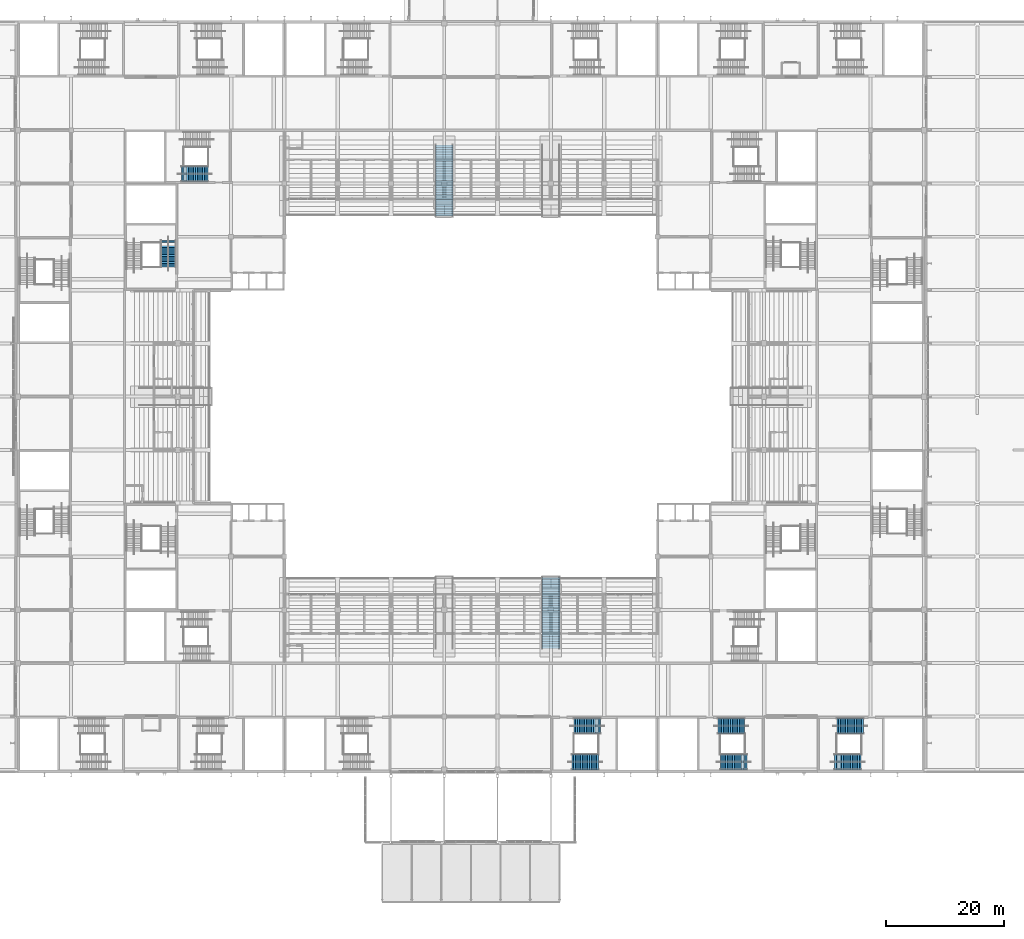
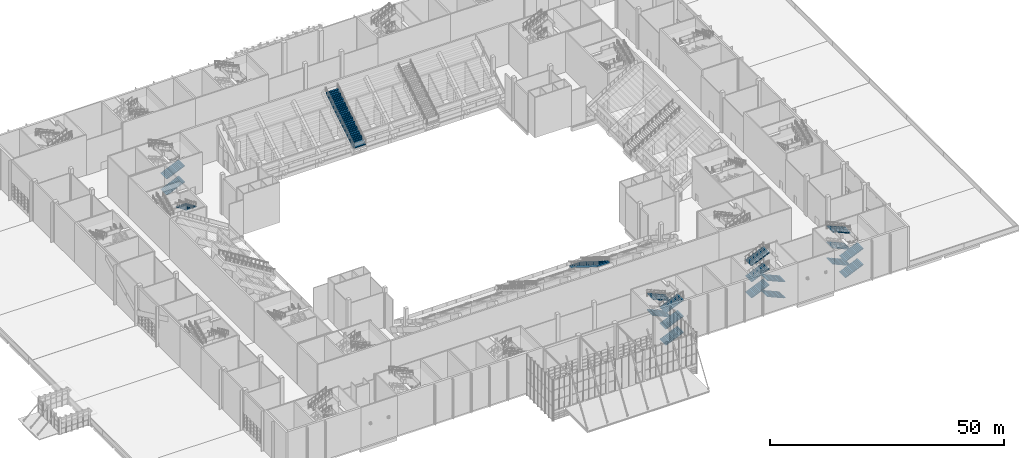
# One storey, part 98 of 182: 20 stair flights, 7 elements without a shape of their own.
"""IFC4 building model written with IfcOpenShell, lengths in metres."""

from ifc_helpers import new_model, si_unit, direction, frame, origin, place, context, subcontext, project, spatial, polyline, outline, extrude, material, type_object, element, aggregate, save


model = new_model("IFC4")

# Units and contexts
model_context = context("Model", 3, precision=1e-05, world=origin(), true_north=direction((0.0, 1.0)))
body_context = subcontext(model_context, "Body", "Model", "MODEL_VIEW")
ifc_project = project(units=[si_unit("LENGTHUNIT", "METRE"), si_unit("AREAUNIT", "SQUARE_METRE"), si_unit("VOLUMEUNIT", "CUBIC_METRE"), si_unit("PLANEANGLEUNIT", "RADIAN"), si_unit("MASSUNIT", "GRAM", prefix="KILO")], contexts=[model_context])

# Site, building, storey
site_placement = place(None, origin())
site = spatial("IfcSite", under=ifc_project, at=site_placement, CompositionType="ELEMENT")
building_placement = place(site_placement, origin())
building = spatial("IfcBuilding", under=site, at=building_placement, Name="Silverbay Arena", CompositionType="ELEMENT")
storey_placement = place(building_placement, frame((0.0, 0.0, 11.5)))
storey = spatial("IfcBuildingStorey", under=building, at=storey_placement, Name="L02", CompositionType="ELEMENT", Elevation=11.5)

# Stair, stair flights
ifc_material_1 = material(Name="Concrete Grade C45", Category="concrete")
stair_type_1 = type_object("IfcStairType", Name="Stair 2600 wide 80 risers 131.2 x 300", PredefinedType="HALF_TURN_STAIR", material=ifc_material_1)
stair_1_placement = place(storey_placement, origin())
stair_1 = element("IfcStair", 1, at=stair_1_placement, inside=storey, type_object=stair_type_1, Name="Stair ST-S3 L02 to L03", PredefinedType="HALF_TURN_STAIR")
ifc_material_2 = material(Name="Concrete Grade C45", Category="concrete")
stair_flight_type_1 = type_object("IfcStairFlightType", Name="Stair flight 2600 wide 16 risers 131.2 x 300", PredefinedType="STRAIGHT", material=ifc_material_2)
stair_flight_1_placement = place(storey_placement, frame((147.52587890625, 19.300048828125, 0.0), z_axis=(0.0, 0.0, 1.0), x_axis=(1.0, 0.0, 0.0)))
stair_flight_1 = element("IfcStairFlight", 2, at=stair_flight_1_placement, type_object=stair_flight_type_1, Name="Stair ST-S3 L02 to L03 flight 1", NumberOfRisers=16, NumberOfTreads=15, PredefinedType="STRAIGHT", RiserHeight=0.13125, TreadLength=0.3, context=body_context, shape_type="SweptSolid", body=[
    extrude(outline(polyline([(0.0, 0.0), (0.0, 0.13134765625), (0.300048828125, 0.13134765625), (0.300048828125, 0.262451171875), (0.60009765625, 0.262451171875), (0.60009765625, 0.393798828125), (0.89990234375, 0.393798828125), (0.89990234375, 0.52490234375), (1.199951171875, 0.52490234375), (1.199951171875, 0.65625), (1.5, 0.65625), (1.5, 0.78759765625), (1.800048828125, 0.78759765625), (1.800048828125, 0.918701171875), (2.10009765625, 0.918701171875), (2.10009765625, 1.050048828125), (2.39990234375, 1.050048828125), (2.39990234375, 1.18115234375), (2.699951171875, 1.18115234375), (2.699951171875, 1.3125), (3.0, 1.3125), (3.0, 1.44384765625), (3.300048828125, 1.44384765625), (3.300048828125, 1.574951171875), (3.60009765625, 1.574951171875), (3.60009765625, 1.706298828125), (3.89990234375, 1.706298828125), (3.89990234375, 1.83740234375), (4.199951171875, 1.83740234375), (4.199951171875, 1.96875), (4.5, 1.96875), (4.5, 1.80517578125), (0.3740234375, 0.0), (0.0, 0.0)])), frame((0.0, 1.300048828125, 0.0), z_axis=(0.0, -1.0, 0.0), x_axis=(1.0, 0.0, 0.0)), (0.0, 0.0, 1.0), 2.60009765625),
])
stair_flight_2_placement = place(storey_placement, frame((152.39990234375, 25.39990234375, 2.10009765625), z_axis=(0.0, 0.0, 1.0), x_axis=(-1.0, 0.0, 0.0)))
stair_flight_2 = element("IfcStairFlight", 3, at=stair_flight_2_placement, type_object=stair_flight_type_1, Name="Stair ST-S3 L02 to L03 flight 2", NumberOfRisers=16, NumberOfTreads=15, PredefinedType="STRAIGHT", RiserHeight=0.13125, TreadLength=0.3, context=body_context, shape_type="SweptSolid", body=[
    extrude(outline(polyline([(0.0, 0.0), (0.0, 0.13134765625), (0.300048828125, 0.13134765625), (0.300048828125, 0.262451171875), (0.60009765625, 0.262451171875), (0.60009765625, 0.393798828125), (0.89990234375, 0.393798828125), (0.89990234375, 0.52490234375), (1.199951171875, 0.52490234375), (1.199951171875, 0.65625), (1.5, 0.65625), (1.5, 0.78759765625), (1.800048828125, 0.78759765625), (1.800048828125, 0.918701171875), (2.10009765625, 0.918701171875), (2.10009765625, 1.050048828125), (2.39990234375, 1.050048828125), (2.39990234375, 1.18115234375), (2.699951171875, 1.18115234375), (2.699951171875, 1.3125), (3.0, 1.3125), (3.0, 1.44384765625), (3.300048828125, 1.44384765625), (3.300048828125, 1.574951171875), (3.60009765625, 1.574951171875), (3.60009765625, 1.706298828125), (3.89990234375, 1.706298828125), (3.89990234375, 1.83740234375), (4.199951171875, 1.83740234375), (4.199951171875, 1.96875), (4.5, 1.96875), (4.5, 1.80517578125), (0.3740234375, 0.0), (0.0, 0.0)])), frame((0.0, 1.300048828125, 0.0), z_axis=(0.0, -1.0, 0.0), x_axis=(1.0, 0.0, 0.0)), (0.0, 0.0, 1.0), 2.60009765625),
])
stair_flight_3_placement = place(storey_placement, frame((147.52587890625, 19.300048828125, 4.199951171875), z_axis=(0.0, 0.0, 1.0), x_axis=(1.0, 0.0, 0.0)))
stair_flight_3 = element("IfcStairFlight", 4, at=stair_flight_3_placement, type_object=stair_flight_type_1, Name="Stair ST-S3 L02 to L03 flight 3", NumberOfRisers=16, NumberOfTreads=15, PredefinedType="STRAIGHT", RiserHeight=0.13125, TreadLength=0.3, context=body_context, shape_type="SweptSolid", body=[
    extrude(outline(polyline([(0.0, 0.0), (0.0, 0.13134765625), (0.300048828125, 0.13134765625), (0.300048828125, 0.262451171875), (0.60009765625, 0.262451171875), (0.60009765625, 0.393798828125), (0.89990234375, 0.393798828125), (0.89990234375, 0.52490234375), (1.199951171875, 0.52490234375), (1.199951171875, 0.65625), (1.5, 0.65625), (1.5, 0.78759765625), (1.800048828125, 0.78759765625), (1.800048828125, 0.918701171875), (2.10009765625, 0.918701171875), (2.10009765625, 1.050048828125), (2.39990234375, 1.050048828125), (2.39990234375, 1.18115234375), (2.699951171875, 1.18115234375), (2.699951171875, 1.3125), (3.0, 1.3125), (3.0, 1.44384765625), (3.300048828125, 1.44384765625), (3.300048828125, 1.574951171875), (3.60009765625, 1.574951171875), (3.60009765625, 1.706298828125), (3.89990234375, 1.706298828125), (3.89990234375, 1.83740234375), (4.199951171875, 1.83740234375), (4.199951171875, 1.96875), (4.5, 1.96875), (4.5, 1.80517578125), (0.3740234375, 0.0), (0.0, 0.0)])), frame((0.0, 1.300048828125, 0.0), z_axis=(0.0, -1.0, 0.0), x_axis=(1.0, 0.0, 0.0)), (0.0, 0.0, 1.0), 2.60009765625),
])
stair_flight_4_placement = place(storey_placement, frame((152.39990234375, 25.39990234375, 6.300048828125), z_axis=(0.0, 0.0, 1.0), x_axis=(-1.0, 0.0, 0.0)))
stair_flight_4 = element("IfcStairFlight", 5, at=stair_flight_4_placement, type_object=stair_flight_type_1, Name="Stair ST-S3 L02 to L03 flight 4", NumberOfRisers=16, NumberOfTreads=15, PredefinedType="STRAIGHT", RiserHeight=0.13125, TreadLength=0.3, context=body_context, shape_type="SweptSolid", body=[
    extrude(outline(polyline([(0.0, 0.0), (0.0, 0.13134765625), (0.300048828125, 0.13134765625), (0.300048828125, 0.262451171875), (0.60009765625, 0.262451171875), (0.60009765625, 0.393798828125), (0.89990234375, 0.393798828125), (0.89990234375, 0.52490234375), (1.199951171875, 0.52490234375), (1.199951171875, 0.65625), (1.5, 0.65625), (1.5, 0.78759765625), (1.800048828125, 0.78759765625), (1.800048828125, 0.918701171875), (2.10009765625, 0.918701171875), (2.10009765625, 1.050048828125), (2.39990234375, 1.050048828125), (2.39990234375, 1.18115234375), (2.699951171875, 1.18115234375), (2.699951171875, 1.3125), (3.0, 1.3125), (3.0, 1.44384765625), (3.300048828125, 1.44384765625), (3.300048828125, 1.574951171875), (3.60009765625, 1.574951171875), (3.60009765625, 1.706298828125), (3.89990234375, 1.706298828125), (3.89990234375, 1.83740234375), (4.199951171875, 1.83740234375), (4.199951171875, 1.96875), (4.5, 1.96875), (4.5, 1.80517578125), (0.3740234375, 0.0), (0.0, 0.0)])), frame((0.0, 1.300048828125, 0.0), z_axis=(0.0, -1.0, 0.0), x_axis=(1.0, 0.0, 0.0)), (0.0, 0.0, 1.0), 2.60009765625),
])
stair_flight_5_placement = place(storey_placement, frame((147.52587890625, 19.300048828125, 8.39990234375), z_axis=(0.0, 0.0, 1.0), x_axis=(1.0, 0.0, 0.0)))
stair_flight_5 = element("IfcStairFlight", 6, at=stair_flight_5_placement, type_object=stair_flight_type_1, Name="Stair ST-S3 L02 to L03 flight 5", NumberOfRisers=16, NumberOfTreads=15, PredefinedType="STRAIGHT", RiserHeight=0.13125, TreadLength=0.3, context=body_context, shape_type="SweptSolid", body=[
    extrude(outline(polyline([(0.0, 0.0), (0.0, 0.13134765625), (0.300048828125, 0.13134765625), (0.300048828125, 0.262451171875), (0.60009765625, 0.262451171875), (0.60009765625, 0.393798828125), (0.89990234375, 0.393798828125), (0.89990234375, 0.52490234375), (1.199951171875, 0.52490234375), (1.199951171875, 0.65625), (1.5, 0.65625), (1.5, 0.78759765625), (1.800048828125, 0.78759765625), (1.800048828125, 0.918701171875), (2.10009765625, 0.918701171875), (2.10009765625, 1.050048828125), (2.39990234375, 1.050048828125), (2.39990234375, 1.18115234375), (2.699951171875, 1.18115234375), (2.699951171875, 1.3125), (3.0, 1.3125), (3.0, 1.44384765625), (3.300048828125, 1.44384765625), (3.300048828125, 1.574951171875), (3.60009765625, 1.574951171875), (3.60009765625, 1.706298828125), (3.89990234375, 1.706298828125), (3.89990234375, 1.83740234375), (4.199951171875, 1.83740234375), (4.199951171875, 1.96875), (4.5, 1.96875), (4.5, 1.80517578125), (0.3740234375, 0.0), (0.0, 0.0)])), frame((0.0, 1.300048828125, 0.0), z_axis=(0.0, -1.0, 0.0), x_axis=(1.0, 0.0, 0.0)), (0.0, 0.0, 1.0), 2.60009765625),
])
aggregate(stair_1, [stair_flight_1, stair_flight_2, stair_flight_3, stair_flight_4, stair_flight_5])

stair_2_placement = place(storey_placement, origin())
stair_2 = element("IfcStair", 7, at=stair_2_placement, inside=storey, type_object=stair_type_1, Name="Stair ST-S4 L02 to L03", PredefinedType="HALF_TURN_STAIR")
stair_flight_6_placement = place(storey_placement, frame((172.225830078125, 25.39990234375, 0.0), z_axis=(0.0, 0.0, 1.0), x_axis=(1.0, 0.0, 0.0)))
stair_flight_6 = element("IfcStairFlight", 8, at=stair_flight_6_placement, type_object=stair_flight_type_1, Name="Stair ST-S4 L02 to L03 flight 1", NumberOfRisers=16, NumberOfTreads=15, PredefinedType="STRAIGHT", RiserHeight=0.13125, TreadLength=0.3, context=body_context, shape_type="SweptSolid", body=[
    extrude(outline(polyline([(0.0, 0.0), (0.0, 0.13134765625), (0.300048828125, 0.13134765625), (0.300048828125, 0.262451171875), (0.60009765625, 0.262451171875), (0.60009765625, 0.393798828125), (0.89990234375, 0.393798828125), (0.89990234375, 0.52490234375), (1.199951171875, 0.52490234375), (1.199951171875, 0.65625), (1.5, 0.65625), (1.5, 0.78759765625), (1.800048828125, 0.78759765625), (1.800048828125, 0.918701171875), (2.10009765625, 0.918701171875), (2.10009765625, 1.050048828125), (2.39990234375, 1.050048828125), (2.39990234375, 1.18115234375), (2.699951171875, 1.18115234375), (2.699951171875, 1.3125), (3.0, 1.3125), (3.0, 1.44384765625), (3.300048828125, 1.44384765625), (3.300048828125, 1.574951171875), (3.60009765625, 1.574951171875), (3.60009765625, 1.706298828125), (3.89990234375, 1.706298828125), (3.89990234375, 1.83740234375), (4.199951171875, 1.83740234375), (4.199951171875, 1.96875), (4.5, 1.96875), (4.5, 1.80517578125), (0.3740234375, 0.0), (0.0, 0.0)])), frame((0.0, 1.300048828125, 0.0), z_axis=(0.0, -1.0, 0.0), x_axis=(1.0, 0.0, 0.0)), (0.0, 0.0, 1.0), 2.60009765625),
])
stair_flight_7_placement = place(storey_placement, frame((177.10009765625, 19.300048828125, 2.10009765625), z_axis=(0.0, 0.0, 1.0), x_axis=(-1.0, 0.0, 0.0)))
stair_flight_7 = element("IfcStairFlight", 9, at=stair_flight_7_placement, type_object=stair_flight_type_1, Name="Stair ST-S4 L02 to L03 flight 2", NumberOfRisers=16, NumberOfTreads=15, PredefinedType="STRAIGHT", RiserHeight=0.13125, TreadLength=0.3, context=body_context, shape_type="SweptSolid", body=[
    extrude(outline(polyline([(0.0, 0.0), (0.0, 0.13134765625), (0.300048828125, 0.13134765625), (0.300048828125, 0.262451171875), (0.60009765625, 0.262451171875), (0.60009765625, 0.393798828125), (0.89990234375, 0.393798828125), (0.89990234375, 0.52490234375), (1.199951171875, 0.52490234375), (1.199951171875, 0.65625), (1.5, 0.65625), (1.5, 0.78759765625), (1.800048828125, 0.78759765625), (1.800048828125, 0.918701171875), (2.10009765625, 0.918701171875), (2.10009765625, 1.050048828125), (2.39990234375, 1.050048828125), (2.39990234375, 1.18115234375), (2.699951171875, 1.18115234375), (2.699951171875, 1.3125), (3.0, 1.3125), (3.0, 1.44384765625), (3.300048828125, 1.44384765625), (3.300048828125, 1.574951171875), (3.60009765625, 1.574951171875), (3.60009765625, 1.706298828125), (3.89990234375, 1.706298828125), (3.89990234375, 1.83740234375), (4.199951171875, 1.83740234375), (4.199951171875, 1.96875), (4.5, 1.96875), (4.5, 1.80517578125), (0.3740234375, 0.0), (0.0, 0.0)])), frame((0.0, 1.300048828125, 0.0), z_axis=(0.0, -1.0, 0.0), x_axis=(1.0, 0.0, 0.0)), (0.0, 0.0, 1.0), 2.60009765625),
])
stair_flight_8_placement = place(storey_placement, frame((172.225830078125, 25.39990234375, 4.199951171875), z_axis=(0.0, 0.0, 1.0), x_axis=(1.0, 0.0, 0.0)))
stair_flight_8 = element("IfcStairFlight", 10, at=stair_flight_8_placement, type_object=stair_flight_type_1, Name="Stair ST-S4 L02 to L03 flight 3", NumberOfRisers=16, NumberOfTreads=15, PredefinedType="STRAIGHT", RiserHeight=0.13125, TreadLength=0.3, context=body_context, shape_type="SweptSolid", body=[
    extrude(outline(polyline([(0.0, 0.0), (0.0, 0.13134765625), (0.300048828125, 0.13134765625), (0.300048828125, 0.262451171875), (0.60009765625, 0.262451171875), (0.60009765625, 0.393798828125), (0.89990234375, 0.393798828125), (0.89990234375, 0.52490234375), (1.199951171875, 0.52490234375), (1.199951171875, 0.65625), (1.5, 0.65625), (1.5, 0.78759765625), (1.800048828125, 0.78759765625), (1.800048828125, 0.918701171875), (2.10009765625, 0.918701171875), (2.10009765625, 1.050048828125), (2.39990234375, 1.050048828125), (2.39990234375, 1.18115234375), (2.699951171875, 1.18115234375), (2.699951171875, 1.3125), (3.0, 1.3125), (3.0, 1.44384765625), (3.300048828125, 1.44384765625), (3.300048828125, 1.574951171875), (3.60009765625, 1.574951171875), (3.60009765625, 1.706298828125), (3.89990234375, 1.706298828125), (3.89990234375, 1.83740234375), (4.199951171875, 1.83740234375), (4.199951171875, 1.96875), (4.5, 1.96875), (4.5, 1.80517578125), (0.3740234375, 0.0), (0.0, 0.0)])), frame((0.0, 1.300048828125, 0.0), z_axis=(0.0, -1.0, 0.0), x_axis=(1.0, 0.0, 0.0)), (0.0, 0.0, 1.0), 2.60009765625),
])
stair_flight_9_placement = place(storey_placement, frame((177.10009765625, 19.300048828125, 6.300048828125), z_axis=(0.0, 0.0, 1.0), x_axis=(-1.0, 0.0, 0.0)))
stair_flight_9 = element("IfcStairFlight", 11, at=stair_flight_9_placement, type_object=stair_flight_type_1, Name="Stair ST-S4 L02 to L03 flight 4", NumberOfRisers=16, NumberOfTreads=15, PredefinedType="STRAIGHT", RiserHeight=0.13125, TreadLength=0.3, context=body_context, shape_type="SweptSolid", body=[
    extrude(outline(polyline([(0.0, 0.0), (0.0, 0.13134765625), (0.300048828125, 0.13134765625), (0.300048828125, 0.262451171875), (0.60009765625, 0.262451171875), (0.60009765625, 0.393798828125), (0.89990234375, 0.393798828125), (0.89990234375, 0.52490234375), (1.199951171875, 0.52490234375), (1.199951171875, 0.65625), (1.5, 0.65625), (1.5, 0.78759765625), (1.800048828125, 0.78759765625), (1.800048828125, 0.918701171875), (2.10009765625, 0.918701171875), (2.10009765625, 1.050048828125), (2.39990234375, 1.050048828125), (2.39990234375, 1.18115234375), (2.699951171875, 1.18115234375), (2.699951171875, 1.3125), (3.0, 1.3125), (3.0, 1.44384765625), (3.300048828125, 1.44384765625), (3.300048828125, 1.574951171875), (3.60009765625, 1.574951171875), (3.60009765625, 1.706298828125), (3.89990234375, 1.706298828125), (3.89990234375, 1.83740234375), (4.199951171875, 1.83740234375), (4.199951171875, 1.96875), (4.5, 1.96875), (4.5, 1.80517578125), (0.3740234375, 0.0), (0.0, 0.0)])), frame((0.0, 1.300048828125, 0.0), z_axis=(0.0, -1.0, 0.0), x_axis=(1.0, 0.0, 0.0)), (0.0, 0.0, 1.0), 2.60009765625),
])
stair_flight_10_placement = place(storey_placement, frame((172.225830078125, 25.39990234375, 8.39990234375), z_axis=(0.0, 0.0, 1.0), x_axis=(1.0, 0.0, 0.0)))
stair_flight_10 = element("IfcStairFlight", 12, at=stair_flight_10_placement, type_object=stair_flight_type_1, Name="Stair ST-S4 L02 to L03 flight 5", NumberOfRisers=16, NumberOfTreads=15, PredefinedType="STRAIGHT", RiserHeight=0.13125, TreadLength=0.3, context=body_context, shape_type="SweptSolid", body=[
    extrude(outline(polyline([(0.0, 0.0), (0.0, 0.13134765625), (0.300048828125, 0.13134765625), (0.300048828125, 0.262451171875), (0.60009765625, 0.262451171875), (0.60009765625, 0.393798828125), (0.89990234375, 0.393798828125), (0.89990234375, 0.52490234375), (1.199951171875, 0.52490234375), (1.199951171875, 0.65625), (1.5, 0.65625), (1.5, 0.78759765625), (1.800048828125, 0.78759765625), (1.800048828125, 0.918701171875), (2.10009765625, 0.918701171875), (2.10009765625, 1.050048828125), (2.39990234375, 1.050048828125), (2.39990234375, 1.18115234375), (2.699951171875, 1.18115234375), (2.699951171875, 1.3125), (3.0, 1.3125), (3.0, 1.44384765625), (3.300048828125, 1.44384765625), (3.300048828125, 1.574951171875), (3.60009765625, 1.574951171875), (3.60009765625, 1.706298828125), (3.89990234375, 1.706298828125), (3.89990234375, 1.83740234375), (4.199951171875, 1.83740234375), (4.199951171875, 1.96875), (4.5, 1.96875), (4.5, 1.80517578125), (0.3740234375, 0.0), (0.0, 0.0)])), frame((0.0, 1.300048828125, 0.0), z_axis=(0.0, -1.0, 0.0), x_axis=(1.0, 0.0, 0.0)), (0.0, 0.0, 1.0), 2.60009765625),
])
aggregate(stair_2, [stair_flight_6, stair_flight_7, stair_flight_8, stair_flight_9, stair_flight_10])

stair_3_placement = place(storey_placement, origin())
stair_3 = element("IfcStair", 13, at=stair_3_placement, inside=storey, type_object=stair_type_1, Name="Stair ST-S6 L02 to L03", PredefinedType="HALF_TURN_STAIR")
stair_flight_11_placement = place(storey_placement, frame((196.774169921875, 25.39990234375, 0.0), z_axis=(0.0, 0.0, 1.0), x_axis=(-1.0, 0.0, 0.0)))
stair_flight_11 = element("IfcStairFlight", 14, at=stair_flight_11_placement, type_object=stair_flight_type_1, Name="Stair ST-S6 L02 to L03 flight 1", NumberOfRisers=16, NumberOfTreads=15, PredefinedType="STRAIGHT", RiserHeight=0.13125, TreadLength=0.3, context=body_context, shape_type="SweptSolid", body=[
    extrude(outline(polyline([(0.0, 0.0), (0.0, 0.13134765625), (0.300048828125, 0.13134765625), (0.300048828125, 0.262451171875), (0.60009765625, 0.262451171875), (0.60009765625, 0.393798828125), (0.89990234375, 0.393798828125), (0.89990234375, 0.52490234375), (1.199951171875, 0.52490234375), (1.199951171875, 0.65625), (1.5, 0.65625), (1.5, 0.78759765625), (1.800048828125, 0.78759765625), (1.800048828125, 0.918701171875), (2.10009765625, 0.918701171875), (2.10009765625, 1.050048828125), (2.39990234375, 1.050048828125), (2.39990234375, 1.18115234375), (2.699951171875, 1.18115234375), (2.699951171875, 1.3125), (3.0, 1.3125), (3.0, 1.44384765625), (3.300048828125, 1.44384765625), (3.300048828125, 1.574951171875), (3.60009765625, 1.574951171875), (3.60009765625, 1.706298828125), (3.89990234375, 1.706298828125), (3.89990234375, 1.83740234375), (4.199951171875, 1.83740234375), (4.199951171875, 1.96875), (4.5, 1.96875), (4.5, 1.80517578125), (0.3740234375, 0.0), (0.0, 0.0)])), frame((0.0, 1.300048828125, 0.0), z_axis=(0.0, -1.0, 0.0), x_axis=(1.0, 0.0, 0.0)), (0.0, 0.0, 1.0), 2.60009765625),
])
stair_flight_12_placement = place(storey_placement, frame((191.89990234375, 19.300048828125, 2.10009765625), z_axis=(0.0, 0.0, 1.0), x_axis=(1.0, 0.0, 0.0)))
stair_flight_12 = element("IfcStairFlight", 15, at=stair_flight_12_placement, type_object=stair_flight_type_1, Name="Stair ST-S6 L02 to L03 flight 2", NumberOfRisers=16, NumberOfTreads=15, PredefinedType="STRAIGHT", RiserHeight=0.13125, TreadLength=0.3, context=body_context, shape_type="SweptSolid", body=[
    extrude(outline(polyline([(0.0, 0.0), (0.0, 0.13134765625), (0.300048828125, 0.13134765625), (0.300048828125, 0.262451171875), (0.60009765625, 0.262451171875), (0.60009765625, 0.393798828125), (0.89990234375, 0.393798828125), (0.89990234375, 0.52490234375), (1.199951171875, 0.52490234375), (1.199951171875, 0.65625), (1.5, 0.65625), (1.5, 0.78759765625), (1.800048828125, 0.78759765625), (1.800048828125, 0.918701171875), (2.10009765625, 0.918701171875), (2.10009765625, 1.050048828125), (2.39990234375, 1.050048828125), (2.39990234375, 1.18115234375), (2.699951171875, 1.18115234375), (2.699951171875, 1.3125), (3.0, 1.3125), (3.0, 1.44384765625), (3.300048828125, 1.44384765625), (3.300048828125, 1.574951171875), (3.60009765625, 1.574951171875), (3.60009765625, 1.706298828125), (3.89990234375, 1.706298828125), (3.89990234375, 1.83740234375), (4.199951171875, 1.83740234375), (4.199951171875, 1.96875), (4.5, 1.96875), (4.5, 1.80517578125), (0.3740234375, 0.0), (0.0, 0.0)])), frame((0.0, 1.300048828125, 0.0), z_axis=(0.0, -1.0, 0.0), x_axis=(1.0, 0.0, 0.0)), (0.0, 0.0, 1.0), 2.60009765625),
])
stair_flight_13_placement = place(storey_placement, frame((196.774169921875, 25.39990234375, 4.199951171875), z_axis=(0.0, 0.0, 1.0), x_axis=(-1.0, 0.0, 0.0)))
stair_flight_13 = element("IfcStairFlight", 16, at=stair_flight_13_placement, type_object=stair_flight_type_1, Name="Stair ST-S6 L02 to L03 flight 3", NumberOfRisers=16, NumberOfTreads=15, PredefinedType="STRAIGHT", RiserHeight=0.13125, TreadLength=0.3, context=body_context, shape_type="SweptSolid", body=[
    extrude(outline(polyline([(0.0, 0.0), (0.0, 0.13134765625), (0.300048828125, 0.13134765625), (0.300048828125, 0.262451171875), (0.60009765625, 0.262451171875), (0.60009765625, 0.393798828125), (0.89990234375, 0.393798828125), (0.89990234375, 0.52490234375), (1.199951171875, 0.52490234375), (1.199951171875, 0.65625), (1.5, 0.65625), (1.5, 0.78759765625), (1.800048828125, 0.78759765625), (1.800048828125, 0.918701171875), (2.10009765625, 0.918701171875), (2.10009765625, 1.050048828125), (2.39990234375, 1.050048828125), (2.39990234375, 1.18115234375), (2.699951171875, 1.18115234375), (2.699951171875, 1.3125), (3.0, 1.3125), (3.0, 1.44384765625), (3.300048828125, 1.44384765625), (3.300048828125, 1.574951171875), (3.60009765625, 1.574951171875), (3.60009765625, 1.706298828125), (3.89990234375, 1.706298828125), (3.89990234375, 1.83740234375), (4.199951171875, 1.83740234375), (4.199951171875, 1.96875), (4.5, 1.96875), (4.5, 1.80517578125), (0.3740234375, 0.0), (0.0, 0.0)])), frame((0.0, 1.300048828125, 0.0), z_axis=(0.0, -1.0, 0.0), x_axis=(1.0, 0.0, 0.0)), (0.0, 0.0, 1.0), 2.60009765625),
])
stair_flight_14_placement = place(storey_placement, frame((191.89990234375, 19.300048828125, 6.300048828125), z_axis=(0.0, 0.0, 1.0), x_axis=(1.0, 0.0, 0.0)))
stair_flight_14 = element("IfcStairFlight", 17, at=stair_flight_14_placement, type_object=stair_flight_type_1, Name="Stair ST-S6 L02 to L03 flight 4", NumberOfRisers=16, NumberOfTreads=15, PredefinedType="STRAIGHT", RiserHeight=0.13125, TreadLength=0.3, context=body_context, shape_type="SweptSolid", body=[
    extrude(outline(polyline([(0.0, 0.0), (0.0, 0.13134765625), (0.300048828125, 0.13134765625), (0.300048828125, 0.262451171875), (0.60009765625, 0.262451171875), (0.60009765625, 0.393798828125), (0.89990234375, 0.393798828125), (0.89990234375, 0.52490234375), (1.199951171875, 0.52490234375), (1.199951171875, 0.65625), (1.5, 0.65625), (1.5, 0.78759765625), (1.800048828125, 0.78759765625), (1.800048828125, 0.918701171875), (2.10009765625, 0.918701171875), (2.10009765625, 1.050048828125), (2.39990234375, 1.050048828125), (2.39990234375, 1.18115234375), (2.699951171875, 1.18115234375), (2.699951171875, 1.3125), (3.0, 1.3125), (3.0, 1.44384765625), (3.300048828125, 1.44384765625), (3.300048828125, 1.574951171875), (3.60009765625, 1.574951171875), (3.60009765625, 1.706298828125), (3.89990234375, 1.706298828125), (3.89990234375, 1.83740234375), (4.199951171875, 1.83740234375), (4.199951171875, 1.96875), (4.5, 1.96875), (4.5, 1.80517578125), (0.3740234375, 0.0), (0.0, 0.0)])), frame((0.0, 1.300048828125, 0.0), z_axis=(0.0, -1.0, 0.0), x_axis=(1.0, 0.0, 0.0)), (0.0, 0.0, 1.0), 2.60009765625),
])
stair_flight_15_placement = place(storey_placement, frame((196.774169921875, 25.39990234375, 8.39990234375), z_axis=(0.0, 0.0, 1.0), x_axis=(-1.0, 0.0, 0.0)))
stair_flight_15 = element("IfcStairFlight", 18, at=stair_flight_15_placement, type_object=stair_flight_type_1, Name="Stair ST-S6 L02 to L03 flight 5", NumberOfRisers=16, NumberOfTreads=15, PredefinedType="STRAIGHT", RiserHeight=0.13125, TreadLength=0.3, context=body_context, shape_type="SweptSolid", body=[
    extrude(outline(polyline([(0.0, 0.0), (0.0, 0.13134765625), (0.300048828125, 0.13134765625), (0.300048828125, 0.262451171875), (0.60009765625, 0.262451171875), (0.60009765625, 0.393798828125), (0.89990234375, 0.393798828125), (0.89990234375, 0.52490234375), (1.199951171875, 0.52490234375), (1.199951171875, 0.65625), (1.5, 0.65625), (1.5, 0.78759765625), (1.800048828125, 0.78759765625), (1.800048828125, 0.918701171875), (2.10009765625, 0.918701171875), (2.10009765625, 1.050048828125), (2.39990234375, 1.050048828125), (2.39990234375, 1.18115234375), (2.699951171875, 1.18115234375), (2.699951171875, 1.3125), (3.0, 1.3125), (3.0, 1.44384765625), (3.300048828125, 1.44384765625), (3.300048828125, 1.574951171875), (3.60009765625, 1.574951171875), (3.60009765625, 1.706298828125), (3.89990234375, 1.706298828125), (3.89990234375, 1.83740234375), (4.199951171875, 1.83740234375), (4.199951171875, 1.96875), (4.5, 1.96875), (4.5, 1.80517578125), (0.3740234375, 0.0), (0.0, 0.0)])), frame((0.0, 1.300048828125, 0.0), z_axis=(0.0, -1.0, 0.0), x_axis=(1.0, 0.0, 0.0)), (0.0, 0.0, 1.0), 2.60009765625),
])
aggregate(stair_3, [stair_flight_11, stair_flight_12, stair_flight_13, stair_flight_14, stair_flight_15])

stair_4_placement = place(storey_placement, origin())
stair_4 = element("IfcStair", 19, at=stair_4_placement, inside=storey, type_object=stair_type_1, Name="Stair ST-NW1 L02 to L03", PredefinedType="HALF_TURN_STAIR")
stair_flight_16_placement = place(storey_placement, frame((81.60009765625, 118.60009765625, 2.10009765625), z_axis=(0.0, 0.0, 1.0), x_axis=(1.0, 0.0, 0.0)))
stair_flight_16 = element("IfcStairFlight", 20, at=stair_flight_16_placement, type_object=stair_flight_type_1, Name="Stair ST-NW1 L02 to L03 flight 2", NumberOfRisers=16, NumberOfTreads=15, PredefinedType="STRAIGHT", RiserHeight=0.13125, TreadLength=0.3, context=body_context, shape_type="SweptSolid", body=[
    extrude(outline(polyline([(0.0, 0.0), (0.0, 0.13134765625), (0.300048828125, 0.13134765625), (0.300048828125, 0.262451171875), (0.60009765625, 0.262451171875), (0.60009765625, 0.393798828125), (0.89990234375, 0.393798828125), (0.89990234375, 0.52490234375), (1.199951171875, 0.52490234375), (1.199951171875, 0.65625), (1.5, 0.65625), (1.5, 0.78759765625), (1.800048828125, 0.78759765625), (1.800048828125, 0.918701171875), (2.10009765625, 0.918701171875), (2.10009765625, 1.050048828125), (2.39990234375, 1.050048828125), (2.39990234375, 1.18115234375), (2.699951171875, 1.18115234375), (2.699951171875, 1.3125), (3.0, 1.3125), (3.0, 1.44384765625), (3.300048828125, 1.44384765625), (3.300048828125, 1.574951171875), (3.60009765625, 1.574951171875), (3.60009765625, 1.706298828125), (3.89990234375, 1.706298828125), (3.89990234375, 1.83740234375), (4.199951171875, 1.83740234375), (4.199951171875, 1.96875), (4.5, 1.96875), (4.5, 1.80517578125), (0.3740234375, 0.0), (0.0, 0.0)])), frame((0.0, 1.300048828125, 0.0), z_axis=(0.0, -1.0, 0.0), x_axis=(1.0, 0.0, 0.0)), (0.0, 0.0, 1.0), 2.60009765625),
])
stair_flight_17_placement = place(storey_placement, frame((81.60009765625, 118.60009765625, 6.300048828125), z_axis=(0.0, 0.0, 1.0), x_axis=(1.0, 0.0, 0.0)))
stair_flight_17 = element("IfcStairFlight", 21, at=stair_flight_17_placement, type_object=stair_flight_type_1, Name="Stair ST-NW1 L02 to L03 flight 4", NumberOfRisers=16, NumberOfTreads=15, PredefinedType="STRAIGHT", RiserHeight=0.13125, TreadLength=0.3, context=body_context, shape_type="SweptSolid", body=[
    extrude(outline(polyline([(0.0, 0.0), (0.0, 0.13134765625), (0.300048828125, 0.13134765625), (0.300048828125, 0.262451171875), (0.60009765625, 0.262451171875), (0.60009765625, 0.393798828125), (0.89990234375, 0.393798828125), (0.89990234375, 0.52490234375), (1.199951171875, 0.52490234375), (1.199951171875, 0.65625), (1.5, 0.65625), (1.5, 0.78759765625), (1.800048828125, 0.78759765625), (1.800048828125, 0.918701171875), (2.10009765625, 0.918701171875), (2.10009765625, 1.050048828125), (2.39990234375, 1.050048828125), (2.39990234375, 1.18115234375), (2.699951171875, 1.18115234375), (2.699951171875, 1.3125), (3.0, 1.3125), (3.0, 1.44384765625), (3.300048828125, 1.44384765625), (3.300048828125, 1.574951171875), (3.60009765625, 1.574951171875), (3.60009765625, 1.706298828125), (3.89990234375, 1.706298828125), (3.89990234375, 1.83740234375), (4.199951171875, 1.83740234375), (4.199951171875, 1.96875), (4.5, 1.96875), (4.5, 1.80517578125), (0.3740234375, 0.0), (0.0, 0.0)])), frame((0.0, 1.300048828125, 0.0), z_axis=(0.0, -1.0, 0.0), x_axis=(1.0, 0.0, 0.0)), (0.0, 0.0, 1.0), 2.60009765625),
])
aggregate(stair_4, [stair_flight_16, stair_flight_17])

# Stair, stair flight
stair_5_placement = place(storey_placement, origin())
stair_5 = element("IfcStair", 22, at=stair_5_placement, inside=storey, type_object=stair_type_1, Name="Stair ST-NW2 L02 to L03", PredefinedType="HALF_TURN_STAIR")
stair_flight_18_placement = place(storey_placement, frame((79.39990234375, 107.39990234375, 6.300048828125), z_axis=(0.0, 0.0, 1.0), x_axis=(0.0, -1.0, 0.0)))
stair_flight_18 = element("IfcStairFlight", 23, at=stair_flight_18_placement, type_object=stair_flight_type_1, Name="Stair ST-NW2 L02 to L03 flight 4", NumberOfRisers=16, NumberOfTreads=15, PredefinedType="STRAIGHT", RiserHeight=0.13125, TreadLength=0.3, context=body_context, shape_type="SweptSolid", body=[
    extrude(outline(polyline([(0.0, 0.0), (0.0, 0.13134765625), (0.300048828125, 0.13134765625), (0.300048828125, 0.262451171875), (0.60009765625, 0.262451171875), (0.60009765625, 0.393798828125), (0.89990234375, 0.393798828125), (0.89990234375, 0.52490234375), (1.199951171875, 0.52490234375), (1.199951171875, 0.65625), (1.5, 0.65625), (1.5, 0.78759765625), (1.800048828125, 0.78759765625), (1.800048828125, 0.918701171875), (2.10009765625, 0.918701171875), (2.10009765625, 1.050048828125), (2.39990234375, 1.050048828125), (2.39990234375, 1.18115234375), (2.699951171875, 1.18115234375), (2.699951171875, 1.3125), (3.0, 1.3125), (3.0, 1.44384765625), (3.300048828125, 1.44384765625), (3.300048828125, 1.574951171875), (3.60009765625, 1.574951171875), (3.60009765625, 1.706298828125), (3.89990234375, 1.706298828125), (3.89990234375, 1.83740234375), (4.199951171875, 1.83740234375), (4.199951171875, 1.96875), (4.5, 1.96875), (4.5, 1.80517578125), (0.3740234375, 0.0), (0.0, 0.0)])), frame((0.0, 1.300048828125, 0.0), z_axis=(0.0, -1.0, 0.0), x_axis=(1.0, 0.0, 0.0)), (0.0, 0.0, 1.0), 2.60009765625),
])
aggregate(stair_5, [stair_flight_18])

ifc_material_3 = material(Name="Concrete Grade C45", Category="concrete")
stair_type_2 = type_object("IfcStairType", Name="Vomitory stair 3000 wide 31 risers 250 x 400", PredefinedType="STRAIGHT_RUN_STAIR", material=ifc_material_3)
stair_6_placement = place(storey_placement, origin())
stair_6 = element("IfcStair", 24, at=stair_6_placement, inside=storey, type_object=stair_type_2, Name="Vomitory stair V04", PredefinedType="STRAIGHT_RUN_STAIR")
ifc_material_4 = material(Name="Concrete Grade C45", Category="concrete")
stair_flight_type_2 = type_object("IfcStairFlightType", Name="Vomitory stair flight 3000 wide 31 risers 250 x 400", PredefinedType="STRAIGHT", material=ifc_material_4)
stair_flight_19_placement = place(storey_placement, frame((144.0, 50.5, 2.75), z_axis=(0.0, 0.0, 1.0), x_axis=(0.0, -1.0, 0.0)))
stair_flight_19 = element("IfcStairFlight", 25, at=stair_flight_19_placement, type_object=stair_flight_type_2, Name="Vomitory stair V04 flight", NumberOfRisers=31, NumberOfTreads=30, PredefinedType="STRAIGHT", RiserHeight=0.25, TreadLength=0.4, context=body_context, shape_type="SweptSolid", body=[
    extrude(outline(polyline([(0.0, 0.0), (0.0, 0.25), (0.39990234375, 0.25), (0.39990234375, 0.5), (0.800048828125, 0.5), (0.800048828125, 0.75), (1.199951171875, 0.75), (1.199951171875, 1.0), (1.60009765625, 1.0), (1.60009765625, 1.25), (2.0, 1.25), (2.0, 1.5), (2.39990234375, 1.5), (2.39990234375, 1.75), (2.800048828125, 1.75), (2.800048828125, 2.0), (3.199951171875, 2.0), (3.199951171875, 2.25), (3.60009765625, 2.25), (3.60009765625, 2.5), (4.0, 2.5), (4.0, 2.75), (4.39990234375, 2.75), (4.39990234375, 3.0), (4.800048828125, 3.0), (4.800048828125, 3.25), (5.199951171875, 3.25), (5.199951171875, 3.5), (5.60009765625, 3.5), (5.60009765625, 3.75), (6.0, 3.75), (6.0, 4.0), (6.39990234375, 4.0), (6.39990234375, 4.25), (6.800048828125, 4.25), (6.800048828125, 4.5), (7.199951171875, 4.5), (7.199951171875, 4.75), (7.60009765625, 4.75), (7.60009765625, 5.0), (8.0, 5.0), (8.0, 5.25), (8.39990234375, 5.25), (8.39990234375, 5.5), (8.800048828125, 5.5), (8.800048828125, 5.75), (9.199951171875, 5.75), (9.199951171875, 6.0), (9.60009765625, 6.0), (9.60009765625, 6.25), (10.0, 6.25), (10.0, 6.5), (10.39990234375, 6.5), (10.39990234375, 6.75), (10.800048828125, 6.75), (10.800048828125, 7.0), (11.199951171875, 7.0), (11.199951171875, 7.25), (11.60009765625, 7.25), (11.60009765625, 7.5), (12.0, 7.5), (12.0, 7.06982421875), (0.688232421875, 0.0), (0.0, 0.0)])), frame((0.0, 1.5, 0.0), z_axis=(0.0, -1.0, 0.0), x_axis=(1.0, 0.0, 0.0)), (0.0, 0.0, 1.0), 3.0),
])
aggregate(stair_6, [stair_flight_19])

stair_7_placement = place(storey_placement, origin())
stair_7 = element("IfcStair", 26, at=stair_7_placement, inside=storey, type_object=stair_type_2, Name="Vomitory stair V07", PredefinedType="STRAIGHT_RUN_STAIR")
stair_flight_20_placement = place(storey_placement, frame((126.0, 111.5, 2.75), z_axis=(0.0, 0.0, 1.0), x_axis=(0.0, 1.0, 0.0)))
stair_flight_20 = element("IfcStairFlight", 27, at=stair_flight_20_placement, type_object=stair_flight_type_2, Name="Vomitory stair V07 flight", NumberOfRisers=31, NumberOfTreads=30, PredefinedType="STRAIGHT", RiserHeight=0.25, TreadLength=0.4, context=body_context, shape_type="SweptSolid", body=[
    extrude(outline(polyline([(0.0, 0.0), (0.0, 0.25), (0.39990234375, 0.25), (0.39990234375, 0.5), (0.800048828125, 0.5), (0.800048828125, 0.75), (1.199951171875, 0.75), (1.199951171875, 1.0), (1.60009765625, 1.0), (1.60009765625, 1.25), (2.0, 1.25), (2.0, 1.5), (2.39990234375, 1.5), (2.39990234375, 1.75), (2.800048828125, 1.75), (2.800048828125, 2.0), (3.199951171875, 2.0), (3.199951171875, 2.25), (3.60009765625, 2.25), (3.60009765625, 2.5), (4.0, 2.5), (4.0, 2.75), (4.39990234375, 2.75), (4.39990234375, 3.0), (4.800048828125, 3.0), (4.800048828125, 3.25), (5.199951171875, 3.25), (5.199951171875, 3.5), (5.60009765625, 3.5), (5.60009765625, 3.75), (6.0, 3.75), (6.0, 4.0), (6.39990234375, 4.0), (6.39990234375, 4.25), (6.800048828125, 4.25), (6.800048828125, 4.5), (7.199951171875, 4.5), (7.199951171875, 4.75), (7.60009765625, 4.75), (7.60009765625, 5.0), (8.0, 5.0), (8.0, 5.25), (8.39990234375, 5.25), (8.39990234375, 5.5), (8.800048828125, 5.5), (8.800048828125, 5.75), (9.199951171875, 5.75), (9.199951171875, 6.0), (9.60009765625, 6.0), (9.60009765625, 6.25), (10.0, 6.25), (10.0, 6.5), (10.39990234375, 6.5), (10.39990234375, 6.75), (10.800048828125, 6.75), (10.800048828125, 7.0), (11.199951171875, 7.0), (11.199951171875, 7.25), (11.60009765625, 7.25), (11.60009765625, 7.5), (12.0, 7.5), (12.0, 7.06982421875), (0.688232421875, 0.0), (0.0, 0.0)])), frame((0.0, 1.5, 0.0), z_axis=(0.0, -1.0, 0.0), x_axis=(1.0, 0.0, 0.0)), (0.0, 0.0, 1.0), 3.0),
])
aggregate(stair_7, [stair_flight_20])

save(model, "model.ifc")
